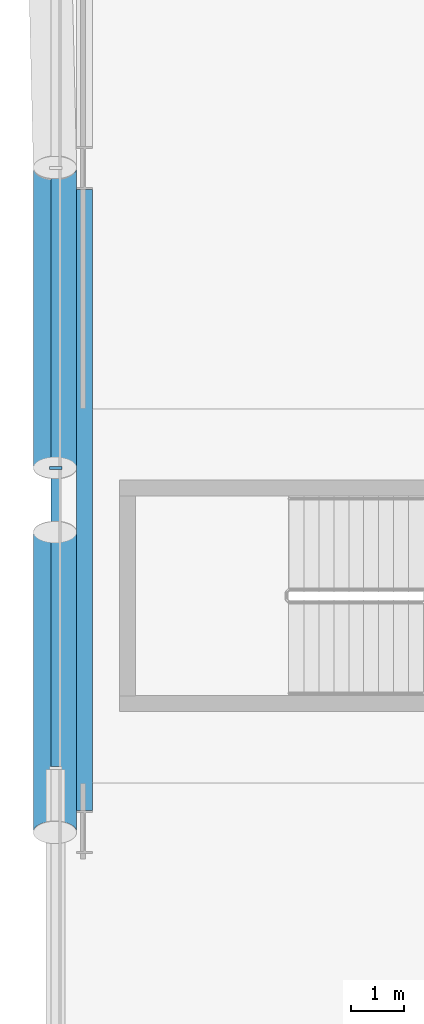
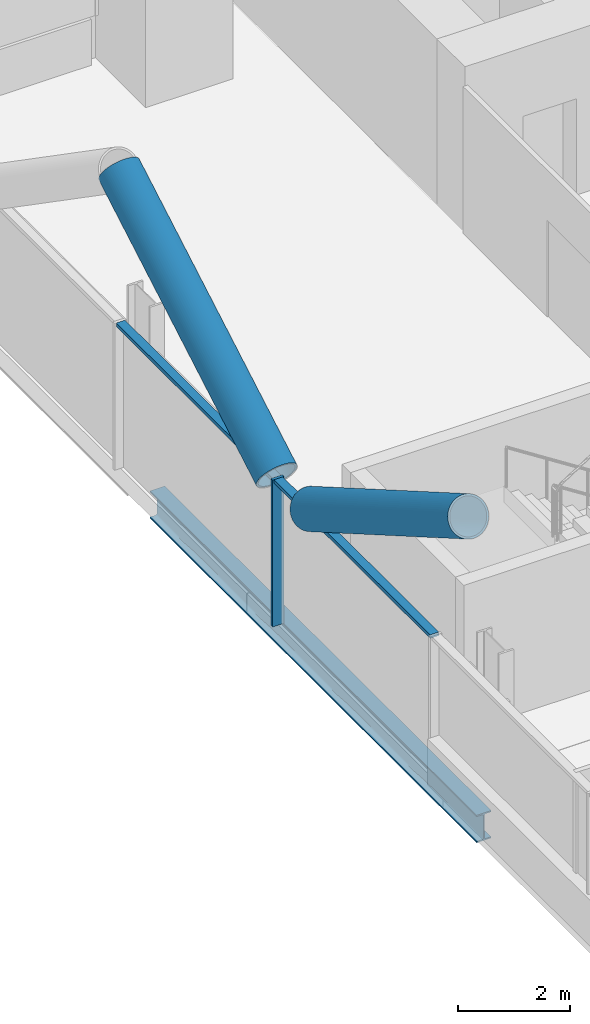
# One storey, part 6 of 27: 5 members, 1 beam, 1 element without a shape of its own.
"""IFC4 building model written with IfcOpenShell, lengths in metres."""

from ifc_helpers import new_model, si_unit, direction, frame, origin, origin_2d, place, context, subcontext, project, spatial, rectangle, hollow_circle, i_section, extrude, material, material_profile, profile_set, type_object, element, aggregate, save


model = new_model("IFC4")

# Units and contexts
model_context = context("Model", 3, precision=1e-05, world=origin(), true_north=direction((0.0, 1.0)))
body_context = subcontext(model_context, "Body", "Model", "MODEL_VIEW")
ifc_project = project(units=[si_unit("LENGTHUNIT", "METRE"), si_unit("AREAUNIT", "SQUARE_METRE"), si_unit("VOLUMEUNIT", "CUBIC_METRE"), si_unit("PLANEANGLEUNIT", "RADIAN"), si_unit("MASSUNIT", "GRAM", prefix="KILO")], contexts=[model_context])

# Site, building, storey
site_placement = place(None, origin())
site = spatial("IfcSite", under=ifc_project, at=site_placement, CompositionType="ELEMENT")
building_placement = place(site_placement, origin())
building = spatial("IfcBuilding", under=site, at=building_placement, Name="Wharfspan Tower", CompositionType="ELEMENT")
storey_placement = place(building_placement, frame((0.0, 0.0, 139.899902)))
storey = spatial("IfcBuildingStorey", under=building, at=storey_placement, Name="L33", CompositionType="ELEMENT", Elevation=139.899902)

# Beam
ifc_material_1 = material(Name="Steel S355J2", Category="steel")
ifc_material_profile_1 = material_profile(ifc_material_1, i_section(OverallWidth=0.300049, OverallDepth=0.600098, WebThickness=0.015381, FlangeThickness=0.030029, FilletRadius=0.0271, at=origin_2d()))
ifc_profile_set_1 = profile_set([ifc_material_profile_1], Name="Steel S355J2")
beam_type = type_object("IfcBeamType", Name="Edge beam HEB 600", PredefinedType="SPANDREL", material=ifc_profile_set_1)
beam_placement = place(storey_placement, frame((7.540039, 30.330322, -0.699951), z_axis=(0.0, -1.0, 0.0), x_axis=(1.0, 0.0, 0.0)))
element("IfcBeam", 1, at=beam_placement, inside=storey, type_object=beam_type, Name="Edge beam W L33 PW.1 to PW.2", PredefinedType="SPANDREL", context=body_context, shape_type="SweptSolid", body=[
    extrude(i_section(OverallWidth=0.300049, OverallDepth=0.600098, WebThickness=0.015381, FlangeThickness=0.030029, FilletRadius=0.0271, at=origin_2d()), origin(), (0.0, 0.0, 1.0), 11.660645),
])

# Curtain wall, member
ifc_material_2 = material(Name="Aluminium 6063-T6", Category="aluminium")
curtain_wall_type = type_object("IfcCurtainWallType", Name="CURTAIN WALL PROW AND END", PredefinedType="NOTDEFINED", material=ifc_material_2)
curtain_wall_placement = place(storey_placement, origin())
curtain_wall = element("IfcCurtainWall", 2, at=curtain_wall_placement, inside=storey, type_object=curtain_wall_type, Name="Curtain wall W", PredefinedType="NOTDEFINED")
ifc_material_profile_2 = material_profile(ifc_material_2, rectangle(XDim=0.23999, YDim=0.060059, at=origin_2d()))
ifc_profile_set_2 = profile_set([ifc_material_profile_2], Name="Aluminium 6063-T6")
member_type_1 = type_object("IfcMemberType", Name="MULLION PROW AND END 60x240", PredefinedType="MULLION", material=ifc_profile_set_2)
member_1_placement = place(storey_placement, frame((7.0, 25.100098, 0.0), z_axis=(0.0, 0.0, 1.0), x_axis=(1.0, 0.0, 0.0)))
member_1 = element("IfcMember", 3, at=member_1_placement, type_object=member_type_1, Name="Curtain wall W mullion 4", PredefinedType="MULLION", context=body_context, shape_type="SweptSolid", body=[
    extrude(rectangle(XDim=0.23999, YDim=0.060059, at=origin_2d()), origin(), (0.0, 0.0, 1.0), 3.200195),
])

# Members
ifc_material_3 = material(Name="Steel S460NH", Category="steel")
ifc_material_profile_3 = material_profile(ifc_material_3, hollow_circle(Radius=0.406494, WallThickness=0.040039, at=origin_2d()))
ifc_profile_set_3 = profile_set([ifc_material_profile_3], Name="Steel S460NH")
member_type_2 = type_object("IfcMemberType", Name="Mega brace CHS 813x40", PredefinedType="BRACE", material=ifc_profile_set_3)
for number, where, z_axis, x_axis, name in (
    (4, (6.985107, 23.894043, 3.25), (0.0, -0.865959, 0.500115), (1.0, 0.0, 0.0), "Mega brace W3 L33 part 2"),
    (5, (6.985107, 25.105957, 3.25), (0.0, 0.865959, 0.500115), (-1.0, 0.0, 0.0), "Mega brace W3 L33 part 4"),
):
    element("IfcMember", number, at=place(storey_placement, frame(where, z_axis=z_axis, x_axis=x_axis)), inside=storey, type_object=member_type_2, Name=name, PredefinedType="BRACE", context=body_context, shape_type="SweptSolid", body=[
        extrude(hollow_circle(Radius=0.406494, WallThickness=0.040039, at=origin_2d()), origin(), (0.0, 0.0, 1.0), 6.498535),
    ])

# Member
ifc_material_profile_4 = material_profile(ifc_material_2, rectangle(XDim=0.179932, YDim=0.080078, at=origin_2d()))
ifc_profile_set_4 = profile_set([ifc_material_profile_4], Name="Aluminium 6063-T6")
member_type_3 = type_object("IfcMemberType", Name="TRANSOM PROW AND END 80x180", PredefinedType="USERDEFINED", material=ifc_profile_set_4)
member_2_placement = place(storey_placement, frame((7.0, 30.703369, 3.160156), z_axis=(0.0, -1.0, 0.0), x_axis=(1.0, 0.0, 0.0)))
member_2 = element("IfcMember", 6, at=member_2_placement, type_object=member_type_3, Name="Curtain wall W transom 3", ObjectType="TRANSOM", PredefinedType="USERDEFINED", context=body_context, shape_type="SweptSolid", body=[
    extrude(rectangle(XDim=0.179932, YDim=0.080078, at=origin_2d()), origin(), (0.0, 0.0, 1.0), 5.573486),
])

member_3_placement = place(storey_placement, frame((7.0, 25.070068, 3.160156), z_axis=(0.0, -1.0, 0.0), x_axis=(1.0, 0.0, 0.0)))
member_3 = element("IfcMember", 7, at=member_3_placement, type_object=member_type_3, Name="Curtain wall W transom 4", ObjectType="TRANSOM", PredefinedType="USERDEFINED", context=body_context, shape_type="SweptSolid", body=[
    extrude(rectangle(XDim=0.179932, YDim=0.080078, at=origin_2d()), origin(), (0.0, 0.0, 1.0), 5.573486),
])

aggregate(curtain_wall, [member_1, member_2, member_3])

save(model, "model.ifc")
